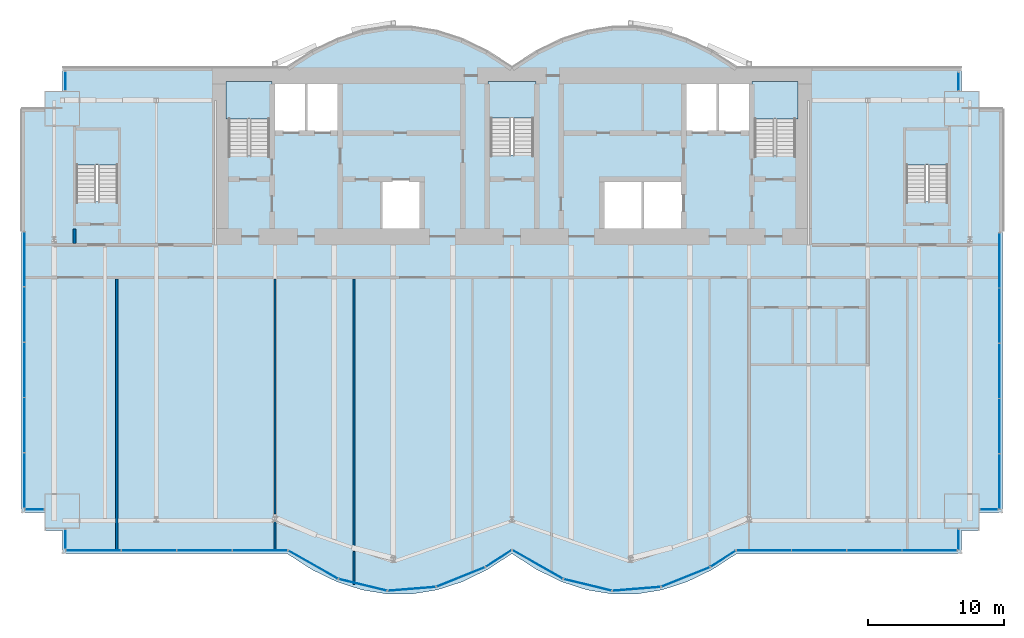
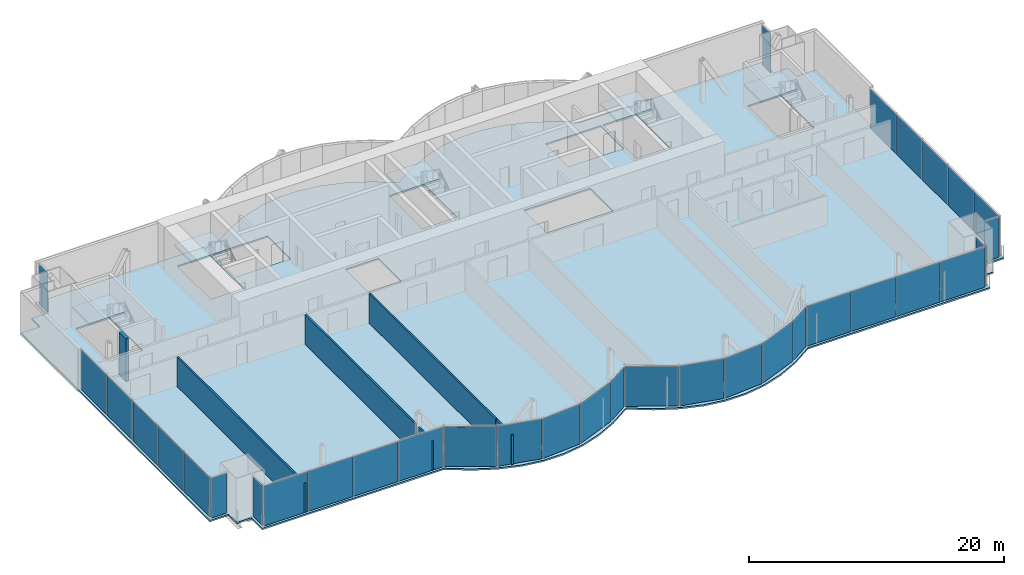
# One storey, part 15 of 22: 34 plates, 6 slabs, 6 walls, 17 elements without a shape of their own.
"""IFC4 building model written with IfcOpenShell, lengths in metres."""

import ifcopenshell
import ifcopenshell.guid

model = None  # the IFC model being written
_history = None  # IfcOwnerHistory: only IFC2X3 demands one
_inside = {}  # id of a spatial element -> (the spatial element, [elements in it])
_under = {}  # id of a project, library or spatial element -> (it, [spatial elements below it])
_declared = {}  # id of a project -> (the project, [libraries it declares])
_typed = {}  # id of a type object -> (the type object, [elements of that type])
_made_of = {}  # id of a material, layer set ... -> (it, [elements and type objects made of it])


def new_model(schema):
    """Start an empty IFC model of exactly this schema.

    Asked for "IFC4X3", IfcOpenShell would pick the latest addendum, in which some entities
    have other attributes; the version numbers below select the first issue.
    IFC2X3 requires an IfcOwnerHistory on every rooted entity: one is made here for all.
    """
    global model, _history
    if schema == "IFC4X3":
        model = ifcopenshell.file(schema_version=(4, 3, 0, 0))
    else:
        model = ifcopenshell.file(schema=schema)
    _inside.clear()
    _under.clear()
    _declared.clear()
    _typed.clear()
    _made_of.clear()
    _history = None
    if model.schema == "IFC2X3":
        org = make("IfcOrganization", Name="unknown")
        user = make(
            "IfcPersonAndOrganization",
            ThePerson=make("IfcPerson", FamilyName="unknown"),
            TheOrganization=org,
        )
        app = make(
            "IfcApplication",
            ApplicationDeveloper=org,
            Version="unknown",
            ApplicationFullName="unknown",
            ApplicationIdentifier="unknown",
        )
        _history = make(
            "IfcOwnerHistory",
            OwningUser=user,
            OwningApplication=app,
            ChangeAction="ADDED",
            CreationDate=0,
        )
    return model


def make(cls, **values):
    """One entity of the class cls with the attributes given. An attribute that is None is left unset."""
    return model.create_entity(
        cls, **{name: value for name, value in values.items() if value is not None}
    )


def rooted(cls, **values):
    """An entity with a GlobalId (a new one), such as an element, a storey or a relation."""
    return make(cls, GlobalId=ifcopenshell.guid.new(), OwnerHistory=_history, **values)


def si_unit(unit_type, name, prefix=None):
    """IfcSIUnit, for example si_unit("LENGTHUNIT", "METRE", prefix="MILLI")."""
    return make("IfcSIUnit", UnitType=unit_type, Prefix=prefix, Name=name)


def assignment(units):
    """IfcUnitAssignment: the units of a project."""
    return None if units is None else make("IfcUnitAssignment", Units=units)


def point(xyz):
    """IfcCartesianPoint."""
    return None if xyz is None else make("IfcCartesianPoint", Coordinates=xyz)


def direction(xyz):
    """IfcDirection."""
    return None if xyz is None else make("IfcDirection", DirectionRatios=xyz)


def frame(location, z_axis=None, x_axis=None):
    """IfcAxis2Placement3D, a coordinate frame: its origin and axes. An axis left out is left unset."""
    return make(
        "IfcAxis2Placement3D",
        Location=point(location),
        Axis=direction(z_axis),
        RefDirection=direction(x_axis),
    )


def frame_2d(location, x_axis=None):
    """IfcAxis2Placement2D, a coordinate frame in the plane: its origin and x axis."""
    return make(
        "IfcAxis2Placement2D", Location=point(location), RefDirection=direction(x_axis)
    )


def origin():
    """The frame at (0, 0, 0) with its axes left unset."""
    return frame((0.0, 0.0, 0.0))


def origin_2d():
    """The frame at (0, 0) in the plane with its x axis left unset."""
    return frame_2d((0.0, 0.0))


def place(relative_to, where):
    """IfcLocalPlacement: puts the frame where relative to a parent placement (None: the world)."""
    return make(
        "IfcLocalPlacement", PlacementRelTo=relative_to, RelativePlacement=where
    )


def context(
    kind, dimensions, precision=None, world=None, true_north=None, identifier=None
):
    """IfcGeometricRepresentationContext, for example the 3D "Model" context."""
    return make(
        "IfcGeometricRepresentationContext",
        ContextIdentifier=identifier,
        ContextType=kind,
        CoordinateSpaceDimension=dimensions,
        Precision=precision,
        WorldCoordinateSystem=world,
        TrueNorth=true_north,
    )


def subcontext(parent, identifier, kind, view, scale=None):
    """IfcGeometricRepresentationSubContext, for example "Body" below "Model"."""
    return make(
        "IfcGeometricRepresentationSubContext",
        ContextIdentifier=identifier,
        ContextType=kind,
        ParentContext=parent,
        TargetScale=scale,
        TargetView=view,
    )


def project(units=None, contexts=None):
    """IfcProject with its units and contexts."""
    return rooted(
        "IfcProject",
        Name="project",
        RepresentationContexts=contexts,
        UnitsInContext=assignment(units),
    )


def spatial(cls, under=None, at=None, **own):
    """A site, building, storey or space (cls), placed at a placement, below another one or the project."""
    s = rooted(cls, ObjectPlacement=at, **own)
    if under is not None:
        _under.setdefault(under.id(), (under, []))[1].append(s)
    return s


def polyline(points):
    """IfcPolyline through the points."""
    return make("IfcPolyline", Points=[point(p) for p in points])


def profile(cls, at=None, kind="AREA", **sizes):
    """A parametric profile (cls). Its sizes go by their IFC names, for example OverallWidth=200.0."""
    return make(cls, ProfileType=kind, Position=at, **sizes)


def rectangle(**sizes):
    """IfcRectangleProfileDef."""
    return profile("IfcRectangleProfileDef", **sizes)


def outline(outer, holes=None, kind="AREA"):
    """IfcArbitraryClosedProfileDef: a profile drawn as a closed curve; with holes, ...WithVoids."""
    if holes is None:
        return make("IfcArbitraryClosedProfileDef", ProfileType=kind, OuterCurve=outer)
    return make(
        "IfcArbitraryProfileDefWithVoids",
        ProfileType=kind,
        OuterCurve=outer,
        InnerCurves=holes,
    )


def extrude(swept, where, along, depth):
    """IfcExtrudedAreaSolid: the profile swept, set in the frame where, extruded along a direction by depth."""
    return make(
        "IfcExtrudedAreaSolid",
        SweptArea=swept,
        Position=where,
        ExtrudedDirection=direction(along),
        Depth=depth,
    )


def shape(context_of_items, identifier, shape_type, items):
    """IfcShapeRepresentation: the items that make up one representation, for example the "Body"."""
    return make(
        "IfcShapeRepresentation",
        ContextOfItems=context_of_items,
        RepresentationIdentifier=identifier,
        RepresentationType=shape_type,
        Items=items,
    )


def material(Name=None, Category=None):
    """IfcMaterial."""
    return make("IfcMaterial", Name=Name, Category=Category)


def layer(
    of_material, thickness, ventilated=None, Name=None, Category=None, Priority=None
):
    """IfcMaterialLayer: one layer of a wall or slab, of a material (None: an air gap)."""
    return make(
        "IfcMaterialLayer",
        Material=of_material,
        LayerThickness=thickness,
        IsVentilated=ventilated,
        Name=Name,
        Category=Category,
        Priority=Priority,
    )


def layer_set(layers, Name=None):
    """IfcMaterialLayerSet."""
    return make("IfcMaterialLayerSet", MaterialLayers=layers, LayerSetName=Name)


def made_of(thing, what):
    """Note that an element or type object is made of a material, layer set ...; save() writes the relation."""
    if what is not None:
        _made_of.setdefault(what.id(), (what, []))[1].append(thing)
    return thing


def type_object(cls, material=None, **own):
    """A type object (cls), such as IfcWallType, which elements share."""
    return made_of(rooted(cls, **own), material)


def element(
    cls,
    number,
    at=None,
    inside=None,
    cuts=None,
    type_object=None,
    material=None,
    context=None,
    identifier="Body",
    shape_type=None,
    held_by="IfcProductDefinitionShape",
    body=None,
    shapes=None,
    **own,
):
    """One element of the class cls, such as IfcWall. Its Tag is "e" and its number.

    at: its placement. inside: the storey or other place that contains it. cuts: it is an
    opening in that element (IfcRelVoidsElement). A single representation is given by context,
    identifier, shape_type and body (its items); several are given by shapes. held_by: the class
    of the entity that holds the representations. save() writes the other relations.
    """
    e = rooted(cls, Tag="e%d" % number, ObjectPlacement=at, **own)
    if body is not None:
        shapes = [shape(context, identifier, shape_type, body)]
    if shapes is not None:
        e.Representation = make(held_by, Representations=shapes)
    if inside is not None:
        _inside.setdefault(inside.id(), (inside, []))[1].append(e)
    if cuts is not None:
        rooted(
            "IfcRelVoidsElement", RelatingBuildingElement=cuts, RelatedOpeningElement=e
        )
    if type_object is not None:
        _typed.setdefault(type_object.id(), (type_object, []))[1].append(e)
    return made_of(e, material)


def aggregate(whole, parts):
    """IfcRelAggregates: a whole, such as a stair, and the parts it consists of."""
    return rooted("IfcRelAggregates", RelatingObject=whole, RelatedObjects=parts)


def save(model, path):
    """Write the relations noted so far, then the file.

    IfcRelAggregates (storeys below a building ...), IfcRelContainedInSpatialStructure (elements
    in a storey), IfcRelDefinesByType, IfcRelAssociatesMaterial and IfcRelDeclares: one each for
    every whole, place, type object, material and project.
    """
    for whole, parts in _under.values():
        aggregate(whole, parts)
    for where, things in _inside.values():
        rooted(
            "IfcRelContainedInSpatialStructure",
            RelatedElements=things,
            RelatingStructure=where,
        )
    for kind, things in _typed.values():
        rooted("IfcRelDefinesByType", RelatedObjects=things, RelatingType=kind)
    for what, things in _made_of.values():
        rooted("IfcRelAssociatesMaterial", RelatedObjects=things, RelatingMaterial=what)
    for by, libraries in _declared.values():
        rooted("IfcRelDeclares", RelatingContext=by, RelatedDefinitions=libraries)
    model.write(path)


model = new_model("IFC4")

# Units and contexts
model_context = context("Model", 3, precision=1e-05, world=origin(), true_north=direction((0.0, 1.0)))
body_context = subcontext(model_context, "Body", "Model", "MODEL_VIEW")
ifc_project = project(units=[si_unit("LENGTHUNIT", "METRE"), si_unit("AREAUNIT", "SQUARE_METRE"), si_unit("VOLUMEUNIT", "CUBIC_METRE"), si_unit("PLANEANGLEUNIT", "RADIAN"), si_unit("MASSUNIT", "GRAM", prefix="KILO")], contexts=[model_context])

# Site, building, storey
site_placement = place(None, origin())
site = spatial("IfcSite", under=ifc_project, at=site_placement, CompositionType="ELEMENT")
building_placement = place(site_placement, origin())
building = spatial("IfcBuilding", under=site, at=building_placement, Name="Bicima Exchange Tower", CompositionType="ELEMENT")
storey_placement = place(building_placement, frame((0.0, 0.0, 148.60009765625)))
storey = spatial("IfcBuildingStorey", under=building, at=storey_placement, Name="L32", CompositionType="ELEMENT", Elevation=148.60009765625)

# Slab
ifc_material_1 = material(Name="Concrete C40/50", Category="concrete")
ifc_layer_1 = layer(ifc_material_1, 0.14990234375)
ifc_layer_set_1 = layer_set([ifc_layer_1], Name="Concrete C40/50")
slab_type_1 = type_object("IfcSlabType", Name="Composite floor slab 150", PredefinedType="FLOOR", material=ifc_layer_set_1)
slab_1_placement = place(storey_placement, frame((0.0, 0.0, -0.150146484375)))
element("IfcSlab", 1, at=slab_1_placement, inside=storey, type_object=slab_type_1, Name="Floor slab", PredefinedType="FLOOR", context=body_context, shape_type="SweptSolid", body=[
    extrude(outline(polyline([(-36.0, -32.656005859375), (-36.0, -3.0), (-34.300048828125, -3.0), (-34.300048828125, -1.699951171875), (-33.0, -1.699951171875), (-33.0, 0.0), (-16.5, 0.0), (-14.666748046875, 1.185302734375), (-12.833251953125, 2.07421875), (-11.0, 2.666748046875), (-9.166748046875, 2.962890625), (-7.333251953125, 2.962890625), (-5.5, 2.666748046875), (-3.666748046875, 2.07421875), (-1.833251953125, 1.185302734375), (0.0, 0.0), (1.833251953125, 1.185302734375), (3.666748046875, 2.07421875), (5.5, 2.666748046875), (7.333251953125, 2.962890625), (9.166748046875, 2.962890625), (11.0, 2.666748046875), (12.833251953125, 2.07421875), (14.666748046875, 1.185302734375), (16.5, 0.0), (33.0, 0.0), (33.0, -1.699951171875), (34.300048828125, -1.699951171875), (34.300048828125, -3.0), (36.0, -3.0), (36.0, -32.656005859375), (34.300048828125, -32.656005859375), (34.300048828125, -33.9560546875), (33.0, -33.9560546875), (33.0, -35.656005859375), (16.5, -35.656005859375), (14.666748046875, -36.84130859375), (12.833251953125, -37.72998046875), (11.0, -38.32275390625), (9.166748046875, -38.618896484375), (7.333251953125, -38.618896484375), (5.5, -38.32275390625), (3.666748046875, -37.72998046875), (1.833251953125, -36.84130859375), (0.0, -35.656005859375), (-1.833251953125, -36.84130859375), (-3.666748046875, -37.72998046875), (-5.5, -38.32275390625), (-7.333251953125, -38.618896484375), (-9.166748046875, -38.618896484375), (-11.0, -38.32275390625), (-12.833251953125, -37.72998046875), (-14.666748046875, -36.84130859375), (-16.5, -35.656005859375), (-33.0, -35.656005859375), (-33.0, -33.9560546875), (-34.300048828125, -33.9560546875), (-34.300048828125, -32.656005859375), (-36.0, -32.656005859375)]), holes=[polyline([(-6.60009765625, -11.800048828125), (-6.60009765625, -8.199951171875), (-9.60009765625, -8.199951171875), (-9.60009765625, -11.800048828125), (-6.60009765625, -11.800048828125)]), polyline([(-31.97509765625, -9.824951171875), (-28.925048828125, -9.824951171875), (-28.925048828125, -4.625), (-31.97509765625, -4.625), (-31.97509765625, -9.824951171875)]), polyline([(-20.800048828125, -6.449951171875), (-17.800048828125, -6.449951171875), (-17.800048828125, -1.199951171875), (-20.800048828125, -1.199951171875), (-20.800048828125, -6.449951171875)]), polyline([(1.574951171875, -6.39990234375), (1.574951171875, -1.199951171875), (-1.574951171875, -1.199951171875), (-1.574951171875, -6.39990234375), (1.574951171875, -6.39990234375)]), polyline([(-12.60009765625, -4.800048828125), (-12.60009765625, -1.199951171875), (-15.10009765625, -1.199951171875), (-17.60009765625, -1.199951171875), (-17.60009765625, -4.800048828125), (-15.10009765625, -4.800048828125), (-12.60009765625, -4.800048828125)]), polyline([(12.60009765625, -8.199951171875), (9.60009765625, -8.199951171875), (6.60009765625, -8.199951171875), (6.60009765625, -11.800048828125), (9.60009765625, -11.800048828125), (12.60009765625, -11.800048828125), (12.60009765625, -8.199951171875)]), polyline([(28.925048828125, -9.824951171875), (31.97509765625, -9.824951171875), (31.97509765625, -4.625), (28.925048828125, -4.625), (28.925048828125, -9.824951171875)]), polyline([(20.800048828125, -6.449951171875), (20.800048828125, -1.199951171875), (17.800048828125, -1.199951171875), (17.800048828125, -6.449951171875), (20.800048828125, -6.449951171875)]), polyline([(17.60009765625, -4.800048828125), (17.60009765625, -1.199951171875), (15.10009765625, -1.199951171875), (12.60009765625, -1.199951171875), (12.60009765625, -4.800048828125), (15.10009765625, -4.800048828125), (17.60009765625, -4.800048828125)])]), origin(), (0.0, 0.0, 1.0), 0.150146484375),
])

# Curtain wall, plates
ifc_material_2 = material(Name="Anodised bronze aluminium", Category="aluminium")
curtain_wall_type_1 = type_object("IfcCurtainWallType", Name="End face glass wall", PredefinedType="NOTDEFINED", material=ifc_material_2)
curtain_wall_1_placement = place(storey_placement, origin())
curtain_wall_1 = element("IfcCurtainWall", 2, at=curtain_wall_1_placement, inside=storey, type_object=curtain_wall_type_1, Name="End face glass wall L32 run 2", PredefinedType="NOTDEFINED")
ifc_material_3 = material(Name="Bronze tinted glass", Category="glass")
ifc_layer_2 = layer(ifc_material_3, 0.031982421875)
ifc_layer_set_2 = layer_set([ifc_layer_2], Name="Bronze tinted glass")
plate_type_1 = type_object("IfcPlateType", Name="End face glass wall glass panel 32", PredefinedType="CURTAIN_PANEL", material=ifc_layer_set_2)
plate_1_placement = place(storey_placement, frame((-35.77001953125, -14.05859375, -0.000244140625), z_axis=(0.0, 0.0, 1.0), x_axis=(0.0, -1.0, 0.0)))
plate_1 = element("IfcPlate", 3, at=plate_1_placement, type_object=plate_type_1, Name="End face glass wall panel 1.1", PredefinedType="CURTAIN_PANEL", context=body_context, shape_type="SweptSolid", body=[
    extrude(rectangle(XDim=3.997314453125, YDim=0.031982421875, at=origin_2d()), origin(), (0.0, 0.0, 1.0), 3.81005859375),
])
plate_2_placement = place(storey_placement, frame((-35.77001953125, -18.11572265625, -0.000244140625), z_axis=(0.0, 0.0, 1.0), x_axis=(0.0, -1.0, 0.0)))
plate_2 = element("IfcPlate", 4, at=plate_2_placement, type_object=plate_type_1, Name="End face glass wall panel 2.1", PredefinedType="CURTAIN_PANEL", context=body_context, shape_type="SweptSolid", body=[
    extrude(rectangle(XDim=3.997314453125, YDim=0.031982421875, at=origin_2d()), origin(), (0.0, 0.0, 1.0), 3.81005859375),
])
plate_3_placement = place(storey_placement, frame((-35.77001953125, -22.173095703125, -0.000244140625), z_axis=(0.0, 0.0, 1.0), x_axis=(0.0, -1.0, 0.0)))
plate_3 = element("IfcPlate", 5, at=plate_3_placement, type_object=plate_type_1, Name="End face glass wall panel 3.1", PredefinedType="CURTAIN_PANEL", context=body_context, shape_type="SweptSolid", body=[
    extrude(rectangle(XDim=3.997314453125, YDim=0.031982421875, at=origin_2d()), origin(), (0.0, 0.0, 1.0), 3.81005859375),
])
plate_4_placement = place(storey_placement, frame((-35.77001953125, -30.287353515625, -0.000244140625), z_axis=(0.0, 0.0, 1.0), x_axis=(0.0, -1.0, 0.0)))
plate_4 = element("IfcPlate", 6, at=plate_4_placement, type_object=plate_type_1, Name="End face glass wall panel 5.1", PredefinedType="CURTAIN_PANEL", context=body_context, shape_type="SweptSolid", body=[
    extrude(rectangle(XDim=3.997314453125, YDim=0.031982421875, at=origin_2d()), origin(), (0.0, 0.0, 1.0), 3.81005859375),
])

curtain_wall_2_placement = place(storey_placement, origin())
curtain_wall_2 = element("IfcCurtainWall", 7, at=curtain_wall_2_placement, inside=storey, type_object=curtain_wall_type_1, Name="End face glass wall L32 run 19", PredefinedType="NOTDEFINED")
plate_5_placement = place(storey_placement, frame((35.77001953125, -30.367431640625, -0.000244140625), z_axis=(0.0, 0.0, 1.0), x_axis=(0.0, 1.0, 0.0)))
plate_5 = element("IfcPlate", 8, at=plate_5_placement, type_object=plate_type_1, Name="End face glass wall panel 1.1", PredefinedType="CURTAIN_PANEL", context=body_context, shape_type="SweptSolid", body=[
    extrude(rectangle(XDim=3.997314453125, YDim=0.031982421875, at=origin_2d()), origin(), (0.0, 0.0, 1.0), 3.81005859375),
])
plate_6_placement = place(storey_placement, frame((35.77001953125, -22.2529296875, -0.000244140625), z_axis=(0.0, 0.0, 1.0), x_axis=(0.0, 1.0, 0.0)))
plate_6 = element("IfcPlate", 9, at=plate_6_placement, type_object=plate_type_1, Name="End face glass wall panel 3.1", PredefinedType="CURTAIN_PANEL", context=body_context, shape_type="SweptSolid", body=[
    extrude(rectangle(XDim=3.997314453125, YDim=0.031982421875, at=origin_2d()), origin(), (0.0, 0.0, 1.0), 3.81005859375),
])
plate_7_placement = place(storey_placement, frame((35.77001953125, -18.19580078125, -0.000244140625), z_axis=(0.0, 0.0, 1.0), x_axis=(0.0, 1.0, 0.0)))
plate_7 = element("IfcPlate", 10, at=plate_7_placement, type_object=plate_type_1, Name="End face glass wall panel 4.1", PredefinedType="CURTAIN_PANEL", context=body_context, shape_type="SweptSolid", body=[
    extrude(rectangle(XDim=3.997314453125, YDim=0.031982421875, at=origin_2d()), origin(), (0.0, 0.0, 1.0), 3.81005859375),
])
plate_8_placement = place(storey_placement, frame((35.77001953125, -14.138671875, -0.000244140625), z_axis=(0.0, 0.0, 1.0), x_axis=(0.0, 1.0, 0.0)))
plate_8 = element("IfcPlate", 11, at=plate_8_placement, type_object=plate_type_1, Name="End face glass wall panel 5.1", PredefinedType="CURTAIN_PANEL", context=body_context, shape_type="SweptSolid", body=[
    extrude(rectangle(XDim=3.997314453125, YDim=0.031982421875, at=origin_2d()), origin(), (0.0, 0.0, 1.0), 3.81005859375),
])

# Plate
ifc_material_4 = material(Name="Bronze anodised aluminium", Category="aluminium")
ifc_layer_3 = layer(ifc_material_4, 0.031982421875)
ifc_layer_set_3 = layer_set([ifc_layer_3], Name="Bronze anodised aluminium")
plate_type_2 = type_object("IfcPlateType", Name="End face glass wall spandrel panel 32", PredefinedType="CURTAIN_PANEL", material=ifc_layer_set_3)
plate_9_placement = place(storey_placement, frame((-35.77001953125, -26.230224609375, -0.000244140625), z_axis=(0.0, 0.0, 1.0), x_axis=(0.0, -1.0, 0.0)))
plate_9 = element("IfcPlate", 12, at=plate_9_placement, type_object=plate_type_2, Name="End face spandrel wall panel 4.1", PredefinedType="CURTAIN_PANEL", context=body_context, shape_type="SweptSolid", body=[
    extrude(rectangle(XDim=3.997314453125, YDim=0.031982421875, at=origin_2d()), origin(), (0.0, 0.0, 1.0), 3.81005859375),
])

aggregate(curtain_wall_1, [plate_1, plate_2, plate_3, plate_9, plate_4])

plate_10_placement = place(storey_placement, frame((35.77001953125, -26.310302734375, -0.000244140625), z_axis=(0.0, 0.0, 1.0), x_axis=(0.0, 1.0, 0.0)))
plate_10 = element("IfcPlate", 13, at=plate_10_placement, type_object=plate_type_2, Name="End face spandrel wall panel 2.1", PredefinedType="CURTAIN_PANEL", context=body_context, shape_type="SweptSolid", body=[
    extrude(rectangle(XDim=3.997314453125, YDim=0.031982421875, at=origin_2d()), origin(), (0.0, 0.0, 1.0), 3.81005859375),
])

aggregate(curtain_wall_2, [plate_5, plate_10, plate_6, plate_7, plate_8])

# Curtain wall, plate
curtain_wall_type_2 = type_object("IfcCurtainWallType", Name="Front glass wall", PredefinedType="NOTDEFINED", material=ifc_material_2)
curtain_wall_3_placement = place(storey_placement, origin())
curtain_wall_3 = element("IfcCurtainWall", 14, at=curtain_wall_3_placement, inside=storey, type_object=curtain_wall_type_2, Name="Front glass wall L32 run 1", PredefinedType="NOTDEFINED")
ifc_layer_4 = layer(ifc_material_3, 0.031982421875)
ifc_layer_set_4 = layer_set([ifc_layer_4], Name="Bronze tinted glass")
plate_type_3 = type_object("IfcPlateType", Name="Front glass wall glass panel 32", PredefinedType="CURTAIN_PANEL", material=ifc_layer_set_4)
plate_11_placement = place(storey_placement, frame((-32.77001953125, -0.965087890625, -0.000244140625), z_axis=(0.0, 0.0, 1.0), x_axis=(0.0, -1.0, 0.0)))
plate_11 = element("IfcPlate", 15, at=plate_11_placement, type_object=plate_type_3, Name="Front glass wall panel 1.1", PredefinedType="CURTAIN_PANEL", context=body_context, shape_type="SweptSolid", body=[
    extrude(rectangle(XDim=1.35009765625, YDim=0.031982421875, at=origin_2d()), origin(), (0.0, 0.0, 1.0), 3.81005859375),
])
aggregate(curtain_wall_3, [plate_11])

curtain_wall_4_placement = place(storey_placement, origin())
curtain_wall_4 = element("IfcCurtainWall", 16, at=curtain_wall_4_placement, inside=storey, type_object=curtain_wall_type_2, Name="Front glass wall L32 run 3", PredefinedType="NOTDEFINED")
plate_12_placement = place(storey_placement, frame((-35.034912109375, -32.426025390625, -0.000244140625), z_axis=(0.0, 0.0, 1.0), x_axis=(1.0, 0.0, 0.0)))
plate_12 = element("IfcPlate", 17, at=plate_12_placement, type_object=plate_type_3, Name="Front glass wall panel 1.1", PredefinedType="CURTAIN_PANEL", context=body_context, shape_type="SweptSolid", body=[
    extrude(rectangle(XDim=1.35009765625, YDim=0.031982421875, at=origin_2d()), origin(), (0.0, 0.0, 1.0), 3.81005859375),
])
aggregate(curtain_wall_4, [plate_12])

curtain_wall_5_placement = place(storey_placement, origin())
curtain_wall_5 = element("IfcCurtainWall", 18, at=curtain_wall_5_placement, inside=storey, type_object=curtain_wall_type_2, Name="Front glass wall L32 run 4", PredefinedType="NOTDEFINED")
plate_13_placement = place(storey_placement, frame((-32.77001953125, -34.590087890625, -0.000244140625), z_axis=(0.0, 0.0, 1.0), x_axis=(0.0, -1.0, 0.0)))
plate_13 = element("IfcPlate", 19, at=plate_13_placement, type_object=plate_type_3, Name="Front glass wall panel 1.1", PredefinedType="CURTAIN_PANEL", context=body_context, shape_type="SweptSolid", body=[
    extrude(rectangle(XDim=1.39208984375, YDim=0.031982421875, at=origin_2d()), origin(), (0.0, 0.0, 1.0), 3.81005859375),
])
aggregate(curtain_wall_5, [plate_13])

# Curtain wall, plates
curtain_wall_6_placement = place(storey_placement, origin())
curtain_wall_6 = element("IfcCurtainWall", 20, at=curtain_wall_6_placement, inside=storey, type_object=curtain_wall_type_2, Name="Front glass wall L32 run 5", PredefinedType="NOTDEFINED")
plate_14_placement = place(storey_placement, frame((-30.705322265625, -35.426025390625, -0.000244140625), z_axis=(0.0, 0.0, 1.0), x_axis=(1.0, 0.0, 0.0)))
plate_14 = element("IfcPlate", 21, at=plate_14_placement, type_object=plate_type_3, Name="Front glass wall panel 1.1", PredefinedType="CURTAIN_PANEL", context=body_context, shape_type="SweptSolid", body=[
    extrude(rectangle(XDim=4.009521484375, YDim=0.031982421875, at=origin_2d()), origin(), (0.0, 0.0, 1.0), 3.81005859375),
])
plate_15_placement = place(storey_placement, frame((-22.56640625, -35.426025390625, -0.000244140625), z_axis=(0.0, 0.0, 1.0), x_axis=(1.0, 0.0, 0.0)))
plate_15 = element("IfcPlate", 22, at=plate_15_placement, type_object=plate_type_3, Name="Front glass wall panel 3.1", PredefinedType="CURTAIN_PANEL", context=body_context, shape_type="SweptSolid", body=[
    extrude(rectangle(XDim=4.009521484375, YDim=0.031982421875, at=origin_2d()), origin(), (0.0, 0.0, 1.0), 3.81005859375),
])
plate_16_placement = place(storey_placement, frame((-18.496826171875, -35.426025390625, -0.000244140625), z_axis=(0.0, 0.0, 1.0), x_axis=(1.0, 0.0, 0.0)))
plate_16 = element("IfcPlate", 23, at=plate_16_placement, type_object=plate_type_3, Name="Front glass wall panel 4.1", PredefinedType="CURTAIN_PANEL", context=body_context, shape_type="SweptSolid", body=[
    extrude(rectangle(XDim=4.009521484375, YDim=0.031982421875, at=origin_2d()), origin(), (0.0, 0.0, 1.0), 3.81005859375),
])

curtain_wall_7_placement = place(storey_placement, origin())
curtain_wall_7 = element("IfcCurtainWall", 24, at=curtain_wall_7_placement, inside=storey, type_object=curtain_wall_type_2, Name="Front glass wall L32 run 6", PredefinedType="NOTDEFINED")
plate_17_placement = place(storey_placement, frame((-14.589599609375, -36.47119140625, -0.000244140625), z_axis=(0.0, 0.0, 1.0), x_axis=(0.869805110681, -0.493395449343, 0.0)))
plate_17 = element("IfcPlate", 25, at=plate_17_placement, type_object=plate_type_3, Name="Front glass wall panel 1.1", PredefinedType="CURTAIN_PANEL", context=body_context, shape_type="SweptSolid", body=[
    extrude(rectangle(XDim=4.1162109375, YDim=0.031982421875, at=origin_2d()), origin(), (0.0, 0.0, 1.0), 3.81005859375),
])
plate_18_placement = place(storey_placement, frame((-10.94775390625, -37.95263671875, -0.000244140625), z_axis=(0.0, 0.0, 1.0), x_axis=(0.971830343553, -0.235681529503, 0.0)))
plate_18 = element("IfcPlate", 26, at=plate_18_placement, type_object=plate_type_3, Name="Front glass wall panel 1.1", PredefinedType="CURTAIN_PANEL", context=body_context, shape_type="SweptSolid", body=[
    extrude(rectangle(XDim=3.583251953125, YDim=0.031982421875, at=origin_2d()), origin(), (0.0, 0.0, 1.0), 3.81005859375),
])
plate_19_placement = place(storey_placement, frame((-3.750244140625, -37.369384765625, -0.000244140625), z_axis=(0.0, 0.0, 1.0), x_axis=(0.92714396679, 0.374705304, 0.0)))
plate_19 = element("IfcPlate", 27, at=plate_19_placement, type_object=plate_type_3, Name="Front glass wall panel 1.1", PredefinedType="CURTAIN_PANEL", context=body_context, shape_type="SweptSolid", body=[
    extrude(rectangle(XDim=3.771240234375, YDim=0.031982421875, at=origin_2d()), origin(), (0.0, 0.0, 1.0), 3.81005859375),
])
plate_20_placement = place(storey_placement, frame((-0.97314453125, -36.01123046875, -0.000244140625), z_axis=(0.0, 0.0, 1.0), x_axis=(0.839798994301, 0.542897457326, 0.0)))
plate_20 = element("IfcPlate", 28, at=plate_20_placement, type_object=plate_type_3, Name="Front glass wall panel 1.1", PredefinedType="CURTAIN_PANEL", context=body_context, shape_type="SweptSolid", body=[
    extrude(rectangle(XDim=2.197509765625, YDim=0.031982421875, at=origin_2d()), origin(), (0.0, 0.0, 1.0), 3.81005859375),
])

curtain_wall_8_placement = place(storey_placement, origin())
curtain_wall_8 = element("IfcCurtainWall", 29, at=curtain_wall_8_placement, inside=storey, type_object=curtain_wall_type_2, Name="Front glass wall L32 run 11", PredefinedType="NOTDEFINED")
plate_21_placement = place(storey_placement, frame((1.876220703125, -36.44921875, -0.000244140625), z_axis=(0.0, 0.0, 1.0), x_axis=(0.869274147378, -0.494330311331, 0.0)))
plate_21 = element("IfcPlate", 30, at=plate_21_placement, type_object=plate_type_3, Name="Front glass wall panel 1.1", PredefinedType="CURTAIN_PANEL", context=body_context, shape_type="SweptSolid", body=[
    extrude(rectangle(XDim=4.197021484375, YDim=0.031982421875, at=origin_2d()), origin(), (0.0, 0.0, 1.0), 3.81005859375),
])
plate_22_placement = place(storey_placement, frame((12.749755859375, -37.369384765625, -0.000244140625), z_axis=(0.0, 0.0, 1.0), x_axis=(0.92714396679, 0.374705304, 0.0)))
plate_22 = element("IfcPlate", 31, at=plate_22_placement, type_object=plate_type_3, Name="Front glass wall panel 1.1", PredefinedType="CURTAIN_PANEL", context=body_context, shape_type="SweptSolid", body=[
    extrude(rectangle(XDim=3.771240234375, YDim=0.031982421875, at=origin_2d()), origin(), (0.0, 0.0, 1.0), 3.81005859375),
])
plate_23_placement = place(storey_placement, frame((15.492919921875, -36.033203125, -0.000244140625), z_axis=(0.0, 0.0, 1.0), x_axis=(0.839791413941, 0.542909183079, 0.0)))
plate_23 = element("IfcPlate", 32, at=plate_23_placement, type_object=plate_type_3, Name="Front glass wall panel 1.1", PredefinedType="CURTAIN_PANEL", context=body_context, shape_type="SweptSolid", body=[
    extrude(rectangle(XDim=2.11669921875, YDim=0.031982421875, at=origin_2d()), origin(), (0.0, 0.0, 1.0), 3.81005859375),
])

curtain_wall_9_placement = place(storey_placement, origin())
curtain_wall_9 = element("IfcCurtainWall", 33, at=curtain_wall_9_placement, inside=storey, type_object=curtain_wall_type_2, Name="Front glass wall L32 run 16", PredefinedType="NOTDEFINED")
plate_24_placement = place(storey_placement, frame((18.48681640625, -35.426025390625, -0.000244140625), z_axis=(0.0, 0.0, 1.0), x_axis=(1.0, 0.0, 0.0)))
plate_24 = element("IfcPlate", 34, at=plate_24_placement, type_object=plate_type_3, Name="Front glass wall panel 1.1", PredefinedType="CURTAIN_PANEL", context=body_context, shape_type="SweptSolid", body=[
    extrude(rectangle(XDim=3.989501953125, YDim=0.031982421875, at=origin_2d()), origin(), (0.0, 0.0, 1.0), 3.81005859375),
])
plate_25_placement = place(storey_placement, frame((22.536376953125, -35.426025390625, -0.000244140625), z_axis=(0.0, 0.0, 1.0), x_axis=(1.0, 0.0, 0.0)))
plate_25 = element("IfcPlate", 35, at=plate_25_placement, type_object=plate_type_3, Name="Front glass wall panel 2.1", PredefinedType="CURTAIN_PANEL", context=body_context, shape_type="SweptSolid", body=[
    extrude(rectangle(XDim=3.989501953125, YDim=0.031982421875, at=origin_2d()), origin(), (0.0, 0.0, 1.0), 3.81005859375),
])
plate_26_placement = place(storey_placement, frame((30.63525390625, -35.426025390625, -0.000244140625), z_axis=(0.0, 0.0, 1.0), x_axis=(1.0, 0.0, 0.0)))
plate_26 = element("IfcPlate", 36, at=plate_26_placement, type_object=plate_type_3, Name="Front glass wall panel 4.1", PredefinedType="CURTAIN_PANEL", context=body_context, shape_type="SweptSolid", body=[
    extrude(rectangle(XDim=3.989501953125, YDim=0.031982421875, at=origin_2d()), origin(), (0.0, 0.0, 1.0), 3.81005859375),
])

# Curtain wall, plate
curtain_wall_10_placement = place(storey_placement, origin())
curtain_wall_10 = element("IfcCurtainWall", 37, at=curtain_wall_10_placement, inside=storey, type_object=curtain_wall_type_2, Name="Front glass wall L32 run 17", PredefinedType="NOTDEFINED")
plate_27_placement = place(storey_placement, frame((32.77001953125, -34.6298828125, -0.000244140625), z_axis=(0.0, 0.0, 1.0), x_axis=(0.0, 1.0, 0.0)))
plate_27 = element("IfcPlate", 38, at=plate_27_placement, type_object=plate_type_3, Name="Front glass wall panel 1.1", PredefinedType="CURTAIN_PANEL", context=body_context, shape_type="SweptSolid", body=[
    extrude(rectangle(XDim=1.471923828125, YDim=0.031982421875, at=origin_2d()), origin(), (0.0, 0.0, 1.0), 3.81005859375),
])
aggregate(curtain_wall_10, [plate_27])

curtain_wall_11_placement = place(storey_placement, origin())
curtain_wall_11 = element("IfcCurtainWall", 39, at=curtain_wall_11_placement, inside=storey, type_object=curtain_wall_type_2, Name="Front glass wall L32 run 18", PredefinedType="NOTDEFINED")
plate_28_placement = place(storey_placement, frame((34.9951171875, -32.426025390625, -0.000244140625), z_axis=(0.0, 0.0, 1.0), x_axis=(1.0, 0.0, 0.0)))
plate_28 = element("IfcPlate", 40, at=plate_28_placement, type_object=plate_type_3, Name="Front glass wall panel 1.1", PredefinedType="CURTAIN_PANEL", context=body_context, shape_type="SweptSolid", body=[
    extrude(rectangle(XDim=1.27001953125, YDim=0.031982421875, at=origin_2d()), origin(), (0.0, 0.0, 1.0), 3.81005859375),
])
aggregate(curtain_wall_11, [plate_28])

curtain_wall_12_placement = place(storey_placement, origin())
curtain_wall_12 = element("IfcCurtainWall", 41, at=curtain_wall_12_placement, inside=storey, type_object=curtain_wall_type_2, Name="Front glass wall L32 run 20", PredefinedType="NOTDEFINED")
plate_29_placement = place(storey_placement, frame((32.77001953125, -1.0048828125, -0.000244140625), z_axis=(0.0, 0.0, 1.0), x_axis=(0.0, 1.0, 0.0)))
plate_29 = element("IfcPlate", 42, at=plate_29_placement, type_object=plate_type_3, Name="Front glass wall panel 1.1", PredefinedType="CURTAIN_PANEL", context=body_context, shape_type="SweptSolid", body=[
    extrude(rectangle(XDim=1.27001953125, YDim=0.031982421875, at=origin_2d()), origin(), (0.0, 0.0, 1.0), 3.81005859375),
])
aggregate(curtain_wall_12, [plate_29])

# Plate
ifc_layer_5 = layer(ifc_material_4, 0.031982421875)
ifc_layer_set_5 = layer_set([ifc_layer_5], Name="Bronze anodised aluminium")
plate_type_4 = type_object("IfcPlateType", Name="Front glass wall spandrel panel 32", PredefinedType="CURTAIN_PANEL", material=ifc_layer_set_5)
plate_30_placement = place(storey_placement, frame((-26.6357421875, -35.426025390625, -0.000244140625), z_axis=(0.0, 0.0, 1.0), x_axis=(1.0, 0.0, 0.0)))
plate_30 = element("IfcPlate", 43, at=plate_30_placement, type_object=plate_type_4, Name="Front spandrel wall panel 2.1", PredefinedType="CURTAIN_PANEL", context=body_context, shape_type="SweptSolid", body=[
    extrude(rectangle(XDim=4.009521484375, YDim=0.031982421875, at=origin_2d()), origin(), (0.0, 0.0, 1.0), 3.81005859375),
])

aggregate(curtain_wall_6, [plate_14, plate_30, plate_15, plate_16])

plate_31_placement = place(storey_placement, frame((-7.35107421875, -38.24365234375, -0.000244140625), z_axis=(0.0, 0.0, 1.0), x_axis=(0.99674744821, 0.080588612633, 0.0)))
plate_31 = element("IfcPlate", 44, at=plate_31_placement, type_object=plate_type_4, Name="Front spandrel wall panel 1.1", PredefinedType="CURTAIN_PANEL", context=body_context, shape_type="SweptSolid", body=[
    extrude(rectangle(XDim=3.486083984375, YDim=0.031982421875, at=origin_2d()), origin(), (0.0, 0.0, 1.0), 3.81005859375),
])

aggregate(curtain_wall_7, [plate_17, plate_18, plate_31, plate_19, plate_20])

plate_32_placement = place(storey_placement, frame((5.55224609375, -37.95263671875, -0.000244140625), z_axis=(0.0, 0.0, 1.0), x_axis=(0.971830343553, -0.235681529503, 0.0)))
plate_32 = element("IfcPlate", 45, at=plate_32_placement, type_object=plate_type_4, Name="Front spandrel wall panel 1.1", PredefinedType="CURTAIN_PANEL", context=body_context, shape_type="SweptSolid", body=[
    extrude(rectangle(XDim=3.583251953125, YDim=0.031982421875, at=origin_2d()), origin(), (0.0, 0.0, 1.0), 3.81005859375),
])

plate_33_placement = place(storey_placement, frame((9.14892578125, -38.24365234375, -0.000244140625), z_axis=(0.0, 0.0, 1.0), x_axis=(0.99674744821, 0.080588612633, 0.0)))
plate_33 = element("IfcPlate", 46, at=plate_33_placement, type_object=plate_type_4, Name="Front spandrel wall panel 1.1", PredefinedType="CURTAIN_PANEL", context=body_context, shape_type="SweptSolid", body=[
    extrude(rectangle(XDim=3.486083984375, YDim=0.031982421875, at=origin_2d()), origin(), (0.0, 0.0, 1.0), 3.81005859375),
])

aggregate(curtain_wall_8, [plate_21, plate_32, plate_33, plate_22, plate_23])

plate_34_placement = place(storey_placement, frame((26.585693359375, -35.426025390625, -0.000244140625), z_axis=(0.0, 0.0, 1.0), x_axis=(1.0, 0.0, 0.0)))
plate_34 = element("IfcPlate", 47, at=plate_34_placement, type_object=plate_type_4, Name="Front spandrel wall panel 3.1", PredefinedType="CURTAIN_PANEL", context=body_context, shape_type="SweptSolid", body=[
    extrude(rectangle(XDim=3.989501953125, YDim=0.031982421875, at=origin_2d()), origin(), (0.0, 0.0, 1.0), 3.81005859375),
])

aggregate(curtain_wall_9, [plate_24, plate_25, plate_34, plate_26])

# Stair, slab
ifc_material_5 = material(Name="Concrete C50/60", Category="concrete")
stair_type_1 = type_object("IfcStairType", Name="Exit stair", PredefinedType="HALF_TURN_STAIR", material=ifc_material_5)
stair_1_placement = place(storey_placement, origin())
stair_1 = element("IfcStair", 48, at=stair_1_placement, inside=storey, type_object=stair_type_1, Name="L32 West exit stair", PredefinedType="HALF_TURN_STAIR")
ifc_layer_6 = layer(ifc_material_5, 0.199951171875)
ifc_layer_set_6 = layer_set([ifc_layer_6], Name="Concrete C50/60")
slab_type_2 = type_object("IfcSlabType", Name="Stair landing slab", PredefinedType="LANDING", material=ifc_layer_set_6)
slab_2_placement = place(storey_placement, frame((0.0, 0.0, 1.849853515625)))
slab_2 = element("IfcSlab", 49, at=slab_2_placement, type_object=slab_type_2, Name="ST-W landing 1", PredefinedType="LANDING", context=body_context, shape_type="SweptSolid", body=[
    extrude(outline(polyline([(-17.60009765625, -3.75), (-17.60009765625, -1.0), (-21.0, -1.0), (-21.0, -3.75), (-17.60009765625, -3.75)])), origin(), (0.0, 0.0, 1.0), 0.199951171875),
])
aggregate(stair_1, [slab_2])

stair_type_2 = type_object("IfcStairType", Name="Exit stair 1500", PredefinedType="HALF_TURN_STAIR", material=ifc_material_5)
stair_2_placement = place(storey_placement, origin())
stair_2 = element("IfcStair", 50, at=stair_2_placement, inside=storey, type_object=stair_type_2, Name="L32 Central exit stair", PredefinedType="HALF_TURN_STAIR")
slab_3_placement = place(storey_placement, frame((0.0, 0.0, 1.849853515625)))
slab_3 = element("IfcSlab", 51, at=slab_3_placement, type_object=slab_type_2, Name="ST-C landing 1", PredefinedType="LANDING", context=body_context, shape_type="SweptSolid", body=[
    extrude(outline(polyline([(1.77490234375, -3.699951171875), (1.77490234375, -1.0), (-1.77490234375, -1.0), (-1.77490234375, -3.699951171875), (1.77490234375, -3.699951171875)])), origin(), (0.0, 0.0, 1.0), 0.199951171875),
])
aggregate(stair_2, [slab_3])

stair_3_placement = place(storey_placement, origin())
stair_3 = element("IfcStair", 52, at=stair_3_placement, inside=storey, type_object=stair_type_1, Name="L32 East exit stair", PredefinedType="HALF_TURN_STAIR")
slab_4_placement = place(storey_placement, frame((0.0, 0.0, 1.849853515625)))
slab_4 = element("IfcSlab", 53, at=slab_4_placement, type_object=slab_type_2, Name="ST-E landing 1", PredefinedType="LANDING", context=body_context, shape_type="SweptSolid", body=[
    extrude(outline(polyline([(21.0, -3.75), (21.0, -1.0), (17.60009765625, -1.0), (17.60009765625, -3.75), (21.0, -3.75)])), origin(), (0.0, 0.0, 1.0), 0.199951171875),
])
aggregate(stair_3, [slab_4])

stair_4_placement = place(storey_placement, origin())
stair_4 = element("IfcStair", 54, at=stair_4_placement, inside=storey, type_object=stair_type_1, Name="L32 West end exit stair", PredefinedType="HALF_TURN_STAIR")
slab_5_placement = place(storey_placement, frame((0.0, 0.0, 1.849853515625)))
slab_5 = element("IfcSlab", 55, at=slab_5_placement, type_object=slab_type_2, Name="ST-WW landing 1", PredefinedType="LANDING", context=body_context, shape_type="SweptSolid", body=[
    extrude(outline(polyline([(-28.72509765625, -7.125), (-28.72509765625, -4.425048828125), (-32.175048828125, -4.425048828125), (-32.175048828125, -7.125), (-28.72509765625, -7.125)])), origin(), (0.0, 0.0, 1.0), 0.199951171875),
])
aggregate(stair_4, [slab_5])

stair_5_placement = place(storey_placement, origin())
stair_5 = element("IfcStair", 56, at=stair_5_placement, inside=storey, type_object=stair_type_1, Name="L32 East end exit stair", PredefinedType="HALF_TURN_STAIR")
slab_6_placement = place(storey_placement, frame((0.0, 0.0, 1.849853515625)))
slab_6 = element("IfcSlab", 57, at=slab_6_placement, type_object=slab_type_2, Name="ST-EE landing 1", PredefinedType="LANDING", context=body_context, shape_type="SweptSolid", body=[
    extrude(outline(polyline([(32.175048828125, -7.125), (32.175048828125, -4.425048828125), (28.72509765625, -4.425048828125), (28.72509765625, -7.125), (32.175048828125, -7.125)])), origin(), (0.0, 0.0, 1.0), 0.199951171875),
])
aggregate(stair_5, [slab_6])

# Walls
ifc_material_6 = material(Name="Gypsum board partition")
ifc_layer_7 = layer(ifc_material_6, 0.14990234375)
ifc_layer_set_7 = layer_set([ifc_layer_7], Name="Gypsum board partition")
wall_type_1 = type_object("IfcWallType", Name="Gypsum partition 150", PredefinedType="PARTITIONING", material=ifc_layer_set_7)
wall_1_placement = place(storey_placement, frame((-29.0, -35.449951171875, 0.0), z_axis=(0.0, 0.0, 1.0), x_axis=(0.0, 1.0, 0.0)))
element("IfcWall", 58, at=wall_1_placement, inside=storey, type_object=wall_type_1, Name="partition wall 11", PredefinedType="PARTITIONING", context=body_context, shape_type="SweptSolid", body=[
    extrude(rectangle(XDim=19.949951171875, YDim=0.14990234375, at=frame_2d((9.97509765625, 0.0))), origin(), (0.0, 0.0, 1.0), 2.840087890625),
])
wall_2_placement = place(storey_placement, frame((-17.39990234375, -35.449951171875, 0.0), z_axis=(0.0, 0.0, 1.0), x_axis=(0.0, 1.0, 0.0)))
element("IfcWall", 59, at=wall_2_placement, inside=storey, type_object=wall_type_1, Name="partition wall 13", PredefinedType="PARTITIONING", context=body_context, shape_type="SweptSolid", body=[
    extrude(rectangle(XDim=2.192138671875, YDim=0.14990234375, at=frame_2d((1.09619140625, 0.0))), origin(), (0.0, 0.0, 1.0), 2.840087890625),
])
wall_3_placement = place(storey_placement, frame((-17.39990234375, -32.76611328125, 0.0), z_axis=(0.0, 0.0, 1.0), x_axis=(0.0, 1.0, 0.0)))
element("IfcWall", 60, at=wall_3_placement, inside=storey, type_object=wall_type_1, Name="partition wall 14", PredefinedType="PARTITIONING", context=body_context, shape_type="SweptSolid", body=[
    extrude(rectangle(XDim=17.26611328125, YDim=0.14990234375, at=frame_2d((8.633056640625, 0.0))), origin(), (0.0, 0.0, 1.0), 2.840087890625),
])
wall_4_placement = place(storey_placement, frame((-11.60009765625, -37.909912109375, 0.0), z_axis=(0.0, 0.0, 1.0), x_axis=(0.0, 1.0, 0.0)))
element("IfcWall", 61, at=wall_4_placement, inside=storey, type_object=wall_type_1, Name="partition wall 15", PredefinedType="PARTITIONING", context=body_context, shape_type="SweptSolid", body=[
    extrude(rectangle(XDim=2.423828125, YDim=0.14990234375, at=frame_2d((1.2119140625, 0.0))), origin(), (0.0, 0.0, 1.0), 2.840087890625),
])
wall_5_placement = place(storey_placement, frame((-11.60009765625, -35.343017578125, 0.0), z_axis=(0.0, 0.0, 1.0), x_axis=(0.0, 1.0, 0.0)))
element("IfcWall", 62, at=wall_5_placement, inside=storey, type_object=wall_type_1, Name="partition wall 16", PredefinedType="PARTITIONING", context=body_context, shape_type="SweptSolid", body=[
    extrude(rectangle(XDim=19.843017578125, YDim=0.14990234375, at=frame_2d((9.92138671875, 0.0))), origin(), (0.0, 0.0, 1.0), 2.840087890625),
])
ifc_layer_8 = layer(ifc_material_5, 0.25)
ifc_layer_set_8 = layer_set([ifc_layer_8], Name="Concrete C50/60")
wall_type_2 = type_object("IfcWallType", Name="RC core wall 250 C50/60", PredefinedType="SHEAR", material=ifc_layer_set_8)
wall_6_placement = place(storey_placement, frame((-32.10009765625, -12.89990234375, 0.0), z_axis=(0.0, 0.0, 1.0), x_axis=(0.0, 1.0, 0.0)))
element("IfcWall", 63, at=wall_6_placement, inside=storey, type_object=wall_type_2, Name="stair wall 10", PredefinedType="SHEAR", context=body_context, shape_type="SweptSolid", body=[
    extrude(rectangle(XDim=1.0498046875, YDim=0.25, at=frame_2d((0.52490234375, 0.0))), origin(), (0.0, 0.0, 1.0), 4.099853515625),
])

save(model, "model.ifc")
